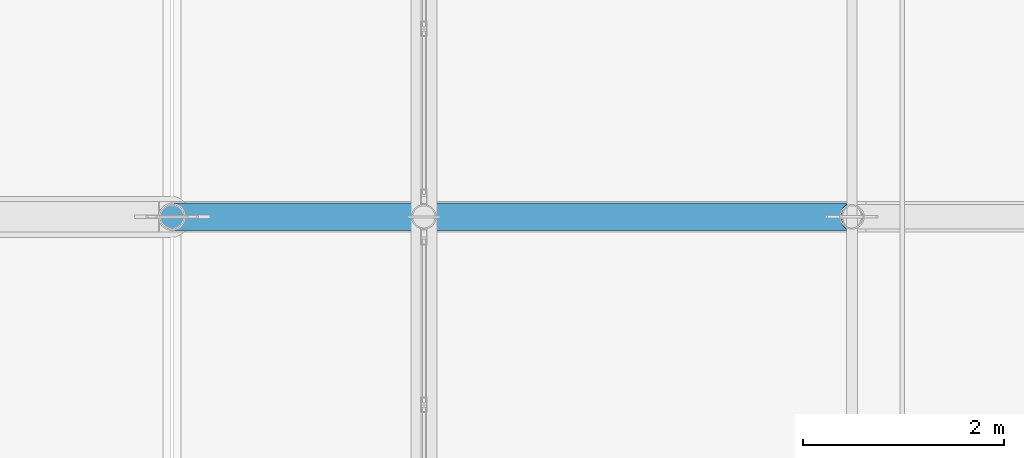
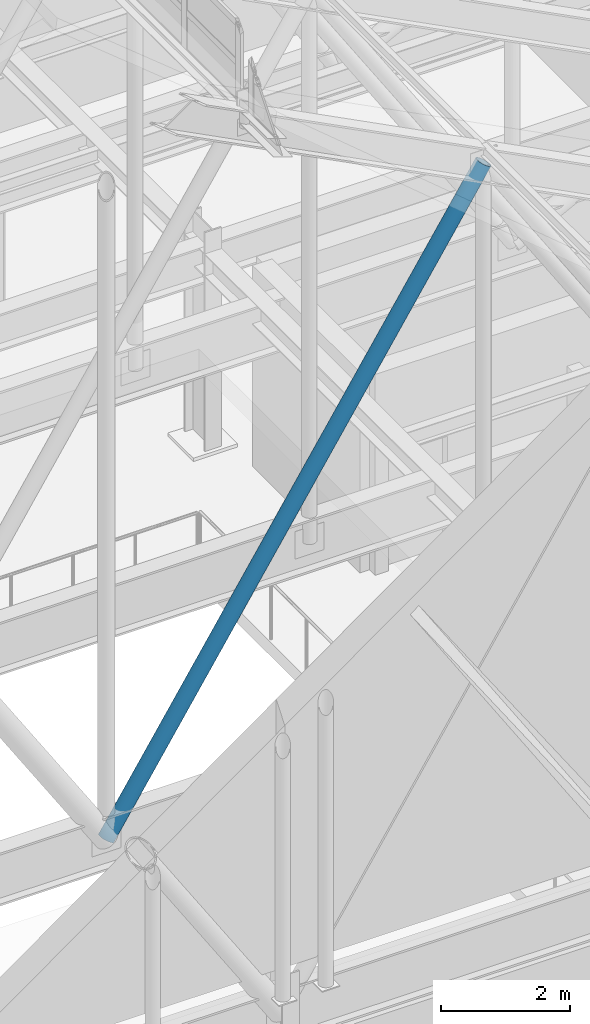
# One storey, part 39 of 84: 1 member.
"""IFC4 building model written with IfcOpenShell, lengths in metres."""

from ifc_helpers import new_model, si_unit, direction, frame, origin, origin_2d, place, context, subcontext, project, spatial, hollow_circle, extrude, material, material_profile, profile_set, type_object, element, save


model = new_model("IFC4")

# Units and contexts
model_context = context("Model", 3, precision=1e-05, world=origin(), true_north=direction((0.0, 1.0)))
body_context = subcontext(model_context, "Body", "Model", "MODEL_VIEW")
ifc_project = project(units=[si_unit("LENGTHUNIT", "METRE"), si_unit("AREAUNIT", "SQUARE_METRE"), si_unit("VOLUMEUNIT", "CUBIC_METRE"), si_unit("PLANEANGLEUNIT", "RADIAN"), si_unit("MASSUNIT", "GRAM", prefix="KILO")], contexts=[model_context])

# Site, building, storey
site_placement = place(None, origin())
site = spatial("IfcSite", under=ifc_project, at=site_placement, CompositionType="ELEMENT")
building_placement = place(site_placement, origin())
building = spatial("IfcBuilding", under=site, at=building_placement, Name="Sundgate Opera House", CompositionType="ELEMENT")
storey_placement = place(building_placement, frame((0.0, 0.0, 30.60009765625)))
storey = spatial("IfcBuildingStorey", under=building, at=storey_placement, Name="L06", CompositionType="ELEMENT", Elevation=30.60009765625)

# Member
ifc_material = material(Name="Steel S355J2", Category="steel")
ifc_material_profile = material_profile(ifc_material, hollow_circle(Radius=0.136474609375, WallThickness=0.01611328125, at=origin_2d()), Name="CHS 273.0x16.0")
ifc_profile_set = profile_set([ifc_material_profile], Name="Steel S355J2")
member_type = type_object("IfcMemberType", Name="MB-STRUT-CHS273", PredefinedType="STRUT", material=ifc_profile_set)
member_placement = place(storey_placement, frame((54.0, 65.39990234375, 3.289794921875), z_axis=(0.543221949913, 0.0, 0.839589133525), x_axis=(0.0, 1.0, 0.0)))
element("IfcMember", 1, at=member_placement, inside=storey, type_object=member_type, Name="L06 Fly-Tower Warren Web Strut M0142", PredefinedType="STRUT", context=body_context, shape_type="SweptSolid", body=[
    extrude(hollow_circle(Radius=0.136474609375, WallThickness=0.01611328125, at=origin_2d()), origin(), (0.0, 0.0, 1.0), 12.42578125),
])

save(model, "model.ifc")
